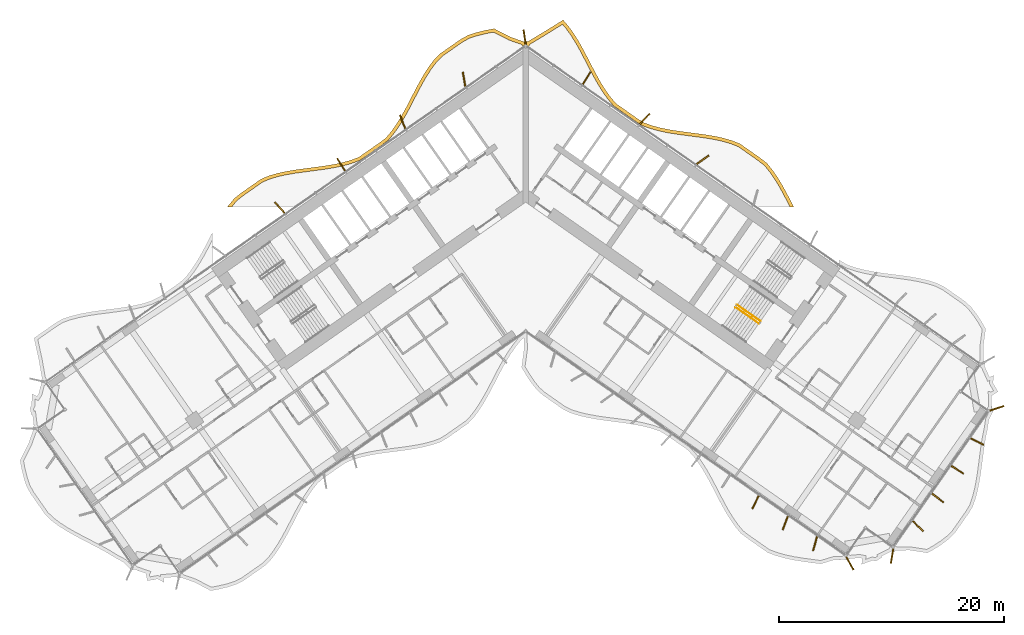
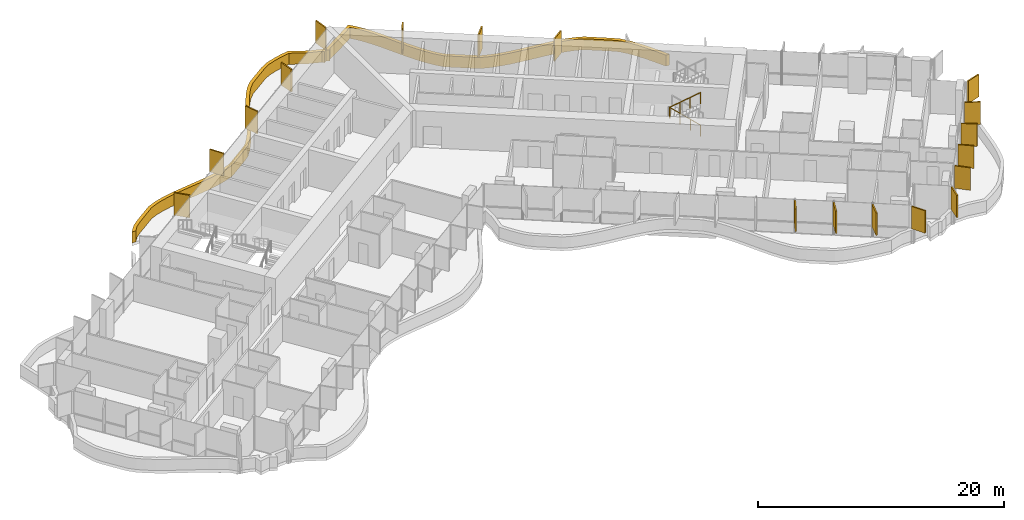
# One storey, part 22 of 23: 19 shading devices, 2 railings.
"""IFC4 building model written with IfcOpenShell, lengths in metres."""

from ifc_helpers import new_model, si_unit, direction, frame, origin, origin_2d, place, context, subcontext, project, spatial, polyline, rectangle, circle, outline, extrude, material, layer, layer_set, type_object, element, save


model = new_model("IFC4")

# Units and contexts
model_context = context("Model", 3, precision=1e-05, world=origin(), true_north=direction((0.0, 1.0)))
body_context = subcontext(model_context, "Body", "Model", "MODEL_VIEW")
ifc_project = project(units=[si_unit("LENGTHUNIT", "METRE"), si_unit("AREAUNIT", "SQUARE_METRE"), si_unit("VOLUMEUNIT", "CUBIC_METRE"), si_unit("PLANEANGLEUNIT", "RADIAN"), si_unit("MASSUNIT", "GRAM", prefix="KILO")], contexts=[model_context])

# Site, building, storey
site_placement = place(None, origin())
site = spatial("IfcSite", under=ifc_project, at=site_placement, CompositionType="ELEMENT")
building_placement = place(site_placement, origin())
building = spatial("IfcBuilding", under=site, at=building_placement, Name="Tel Ilan Convention Tower", CompositionType="ELEMENT")
storey_placement = place(building_placement, frame((0.0, 0.0, 79.699951171875)))
storey = spatial("IfcBuildingStorey", under=building, at=storey_placement, Name="L15", CompositionType="ELEMENT", Elevation=79.699951171875)

# Shading devices
ifc_material_1 = material(Name="Aluminium, bronze anodised", Category="aluminium")
ifc_layer_1 = layer(ifc_material_1, 0.1201171875)
ifc_layer_set_1 = layer_set([ifc_layer_1], Name="FIN BRONZE 1300x120")
shading_device_type_1 = type_object("IfcShadingDeviceType", Name="FIN BRONZE 1300x120", PredefinedType="USERDEFINED", material=ifc_layer_set_1)
for number, where, z_axis, x_axis, name in (
    (1, (15.761474609375, 2.5537109375, 1.10009765625), (0.0, 0.0, 1.0), (0.813552070258, 0.581492071294, 0.0), "FIN"),
    (2, (10.598388671875, 6.192138671875, 1.10009765625), (0.0, 0.0, 1.0), (0.686241637865, 0.727373641577, 0.0), "FIN"),
    (3, (5.421875, 9.817138671875, 1.10009765625), (0.0, 0.0, 1.0), (0.533204432798, 0.845986425922, 0.0), "FIN"),
    (4, (-0.09423828125, 13.469482421875, 1.10009765625), (0.0, 0.0, 1.0), (-0.144931859301, 0.989441638582, 0.0), "FIN"),
    (5, (-5.48779296875, 9.72509765625, 1.10009765625), (0.0, 0.0, 1.0), (-0.173648177667, 0.984807753012, 0.0), "FIN"),
    (6, (-10.963134765625, 5.928955078125, 1.10009765625), (0.0, 0.0, 1.0), (-0.360177724803, 0.932883704733, 0.0), "FIN"),
    (7, (-16.4296875, 2.109619140625, 1.10009765625), (0.0, 0.0, 1.0), (-0.533204432798, 0.845986425922, 0.0), "FIN"),
    (8, (-21.89306640625, -1.71630859375, 1.10009765625), (0.0, 0.0, 1.0), (-0.686241637865, 0.727373641577, 0.0), "FIN"),
    (9, (20.464111328125, -27.9423828125, 1.10009765625), (0.0, 0.0, 1.0), (-0.448799180206, -0.893632640321, 0.0), "FIN"),
    (10, (23.113525390625, -29.78955078125, 1.10009765625), (0.0, 0.0, 1.0), (-0.360177724803, -0.932883704733, 0.0), "FIN"),
    (11, (25.76513671875, -31.631103515625, 1.10009765625), (0.0, 0.0, 1.0), (-0.268172612768, -0.963370878614, 0.0), "FIN"),
    (12, (28.86865234375, -33.391357421875, 1.10009765625), (0.0, 0.0, 1.0), (0.491579408049, -0.870832754082, 0.0), "FIN"),
    (13, (32.62060546875, -32.729736328125, 1.10009765625), (0.0, 0.0, 1.0), (-0.16409119891, -0.986445172547, 0.0), "FIN"),
    (14, (34.924072265625, -30.0625, 1.10009765625), (0.0, 0.0, 1.0), (0.727373641577, -0.686241637865, 0.0), "FIN"),
    (15, (36.68115234375, -27.553955078125, 1.10009765625), (0.0, 0.0, 1.0), (0.790392669516, -0.612600545196, 0.0), "FIN"),
    (16, (38.43798828125, -25.044921875, 1.10009765625), (0.0, 0.0, 1.0), (0.845986425922, -0.533204432798, 0.0), "FIN"),
    (17, (40.1943359375, -22.535888671875, 1.10009765625), (0.0, 0.0, 1.0), (0.893632640321, -0.448799180206, 0.0), "FIN"),
    (18, (41.95263671875, -19.576171875, 1.10009765625), (0.0, 0.0, 1.0), (0.949242643575, 0.314544756146, 0.0), "FIN"),
):
    element("IfcShadingDevice", number, at=place(storey_placement, frame(where, z_axis=z_axis, x_axis=x_axis)), inside=storey, type_object=shading_device_type_1, Name=name, ObjectType="FIN", PredefinedType="USERDEFINED", context=body_context, shape_type="SweptSolid", body=[
        extrude(rectangle(XDim=1.300048828125, YDim=0.1201171875, at=origin_2d()), origin(), (0.0, 0.0, 1.0), 2.219970703125),
    ])
ifc_material_2 = material(Name="Aluminium, bronze anodised", Category="aluminium")
ifc_layer_2 = layer(ifc_material_2, 0.300048828125)
ifc_layer_set_2 = layer_set([ifc_layer_2], Name="LOUVRE BAND 300x1100")
shading_device_type_2 = type_object("IfcShadingDeviceType", Name="LOUVRE BAND 300x1100", PredefinedType="USERDEFINED", material=ifc_layer_set_2)
shading_device_placement = place(storey_placement, origin())
element("IfcShadingDevice", 19, at=shading_device_placement, inside=storey, type_object=shading_device_type_2, Name="LOUVRE BAND 15.02", ObjectType="LOUVRE", PredefinedType="USERDEFINED", context=body_context, shape_type="SweptSolid", body=[
    extrude(outline(polyline([(-26.470947265625, -1.533447265625), (-26.5380859375, -1.631591796875), (-26.164794921875, -1.631591796875), (-25.768798828125, -1.13916015625), (-25.22119140625, -0.691162109375), (-23.4189453125, 0.570556640625), (-22.757568359375, 0.845947265625), (-22.025146484375, 1.0595703125), (-21.250732421875, 1.229248046875), (-20.445556640625, 1.36474609375), (-17.94091796875, 1.697021484375), (-17.10986328125, 1.831298828125), (-16.29736328125, 2.001220703125), (-15.51171875, 2.2197265625), (-14.73974609375, 2.50537109375), (-14.091552734375, 2.951171875), (-12.86083984375, 3.812744140625), (-12.2314453125, 4.287841796875), (-11.706298828125, 4.921142578125), (-11.2373046875, 5.590576171875), (-10.803466796875, 6.300537109375), (-10.395751953125, 7.0380859375), (-9.617919921875, 8.540283203125), (-9.227294921875, 9.275390625), (-8.822509765625, 9.9814453125), (-8.39501953125, 10.64501953125), (-7.941650390625, 11.25048828125), (-7.44140625, 11.75830078125), (-5.638916015625, 13.020263671875), (-5.01953125, 13.36328125), (-4.31494140625, 13.594970703125), (-3.555908203125, 13.7822265625), (-2.858154296875, 13.91259765625), (-1.501220703125, 13.2119140625), (-0.362548828125, 12.812744140625), (-0.24609375, 12.646728515625), (0.0, 12.818115234375), (0.24609375, 12.646728515625), (0.38134765625, 12.839599609375), (1.88916015625, 13.747314453125), (3.271728515625, 14.607177734375), (3.593017578125, 14.232666015625), (4.037353515625, 13.614990234375), (4.454345703125, 12.947998046875), (4.8505859375, 12.2421875), (6.0068359375, 10.025390625), (6.4140625, 9.2998046875), (6.84814453125, 8.603759765625), (7.318115234375, 7.94921875), (7.845947265625, 7.3291015625), (9.697021484375, 6.0283203125), (10.3486328125, 5.60009765625), (11.1142578125, 5.323974609375), (11.8935546875, 5.112060546875), (12.69873046875, 4.94677734375), (13.521240234375, 4.815673828125), (15.99755859375, 4.4873046875), (16.79345703125, 4.35302734375), (17.559326171875, 4.18505859375), (18.284423828125, 3.97412109375), (18.94091796875, 3.7060546875), (20.723876953125, 2.457763671875), (21.272216796875, 2.02392578125), (21.729736328125, 1.462646484375), (22.166748046875, 0.83154296875), (22.57763671875, 0.153564453125), (22.97021484375, -0.56005859375), (23.52587890625, -1.631591796875), (23.86328125, -1.631591796875), (23.23486328125, -0.41845703125), (22.837646484375, 0.303466796875), (22.418701171875, 0.99462890625), (21.9697265625, 1.64306640625), (21.484130859375, 2.239013671875), (20.903076171875, 2.698486328125), (19.08544921875, 3.97119140625), (18.38330078125, 4.2578125), (17.63330078125, 4.47607421875), (16.8505859375, 4.647705078125), (16.043212890625, 4.783935546875), (13.564697265625, 5.112548828125), (12.75244140625, 5.241943359375), (11.963134765625, 5.404052734375), (11.20458984375, 5.610107421875), (10.483642578125, 5.8701171875), (9.865478515625, 6.276611328125), (8.050048828125, 7.55224609375), (7.5546875, 8.134033203125), (7.09765625, 8.770751953125), (6.672119140625, 9.452880859375), (6.2705078125, 10.168701171875), (5.1142578125, 12.385498046875), (4.71240234375, 13.100830078125), (4.28662109375, 13.7822265625), (3.8291015625, 14.418212890625), (3.331787109375, 14.997802734375), (1.732666015625, 14.003173828125), (0.168701171875, 13.059326171875), (0.11474609375, 13.09521484375), (0.0, 13.1181640625), (-0.11474609375, 13.09521484375), (-0.168701171875, 13.059326171875), (-1.382080078125, 13.48828125), (-2.81201171875, 14.226318359375), (-3.619384765625, 14.075439453125), (-4.39794921875, 13.883544921875), (-5.14013671875, 13.639404296875), (-5.798095703125, 13.275146484375), (-7.635986328125, 11.98828125), (-8.169677734375, 11.446533203125), (-8.641357421875, 10.81640625), (-9.078857421875, 10.13720703125), (-9.489990234375, 9.42041015625), (-9.8837890625, 8.67919921875), (-10.66015625, 7.179931640625), (-11.06298828125, 6.451416015625), (-11.488525390625, 5.755126953125), (-11.945068359375, 5.103271484375), (-12.43994140625, 4.506103515625), (-13.037353515625, 4.055419921875), (-14.87890625, 2.773681640625), (-15.60400390625, 2.50537109375), (-16.3681640625, 2.29296875), (-17.16455078125, 2.12646484375), (-17.98486328125, 1.993896484375), (-20.490966796875, 1.661376953125), (-21.307861328125, 1.52392578125), (-22.099365234375, 1.350341796875), (-22.857421875, 1.129150390625), (-23.564453125, 0.8349609375), (-25.40234375, -0.451904296875), (-25.98291015625, -0.9267578125), (-26.470947265625, -1.533447265625)])), origin(), (0.0, 0.0, 1.0), 1.10009765625),
])

# Railings
ifc_material_3 = material(Name="Stainless Steel Grade 316", Category="steel")
railing_type = type_object("IfcRailingType", Name="Stainless Steel Stair Guard 1100 mm", PredefinedType="GUARDRAIL", material=ifc_material_3)
railing_1_placement = place(storey_placement, frame((20.89697265625, -11.824462890625, 0.179931640625)))
element("IfcRailing", 20, at=railing_1_placement, inside=storey, type_object=railing_type, Name="L15 S4 stair guard 1", PredefinedType="GUARDRAIL", context=body_context, shape_type="SweptSolid", body=[
    extrude(circle(Radius=0.02392578125, at=origin_2d()), frame((0.0, 0.0, 1.076171875), z_axis=(-0.689013013563, 0.482512838948, 0.540779462804), x_axis=(-0.573624882958, -0.819118119475, 0.0)), (0.0, 0.0, 1.0), 2.995849609375),
    extrude(circle(Radius=0.02099609375, at=origin_2d()), origin(), (0.0, 0.0, 1.0), 1.052001953125),
    extrude(circle(Radius=0.02099609375, at=origin_2d()), frame((-0.68798828125, 0.48193359375, 0.5400390625)), (0.0, 0.0, 1.0), 1.052001953125),
    extrude(circle(Radius=0.02099609375, at=origin_2d()), frame((-1.376220703125, 0.963623046875, 1.080078125)), (0.0, 0.0, 1.0), 1.052001953125),
    extrude(circle(Radius=0.02099609375, at=origin_2d()), frame((-2.064208984375, 1.445556640625, 1.6201171875)), (0.0, 0.0, 1.0), 1.052001953125),
])
railing_2_placement = place(storey_placement, frame((18.689208984375, -10.583740234375, 1.97998046875)))
element("IfcRailing", 21, at=railing_2_placement, inside=storey, type_object=railing_type, Name="L15 S4 stair guard 3", PredefinedType="GUARDRAIL", context=body_context, shape_type="SweptSolid", body=[
    extrude(circle(Radius=0.02392578125, at=origin_2d()), frame((0.0, 0.0, 1.076171875), z_axis=(0.689055814419, -0.482485747064, 0.540749099395), x_axis=(0.573579365141, 0.81914999352, 0.0)), (0.0, 0.0, 1.0), 2.99609375),
    extrude(circle(Radius=0.02099609375, at=origin_2d()), origin(), (0.0, 0.0, 1.0), 1.052001953125),
    extrude(circle(Radius=0.02099609375, at=origin_2d()), frame((0.688232421875, -0.48193359375, 0.5400390625)), (0.0, 0.0, 1.0), 1.052001953125),
    extrude(circle(Radius=0.02099609375, at=origin_2d()), frame((1.376220703125, -0.963623046875, 1.080078125)), (0.0, 0.0, 1.0), 1.052001953125),
    extrude(circle(Radius=0.02099609375, at=origin_2d()), frame((2.064453125, -1.445556640625, 1.6201171875)), (0.0, 0.0, 1.0), 1.052001953125),
])

save(model, "model.ifc")
